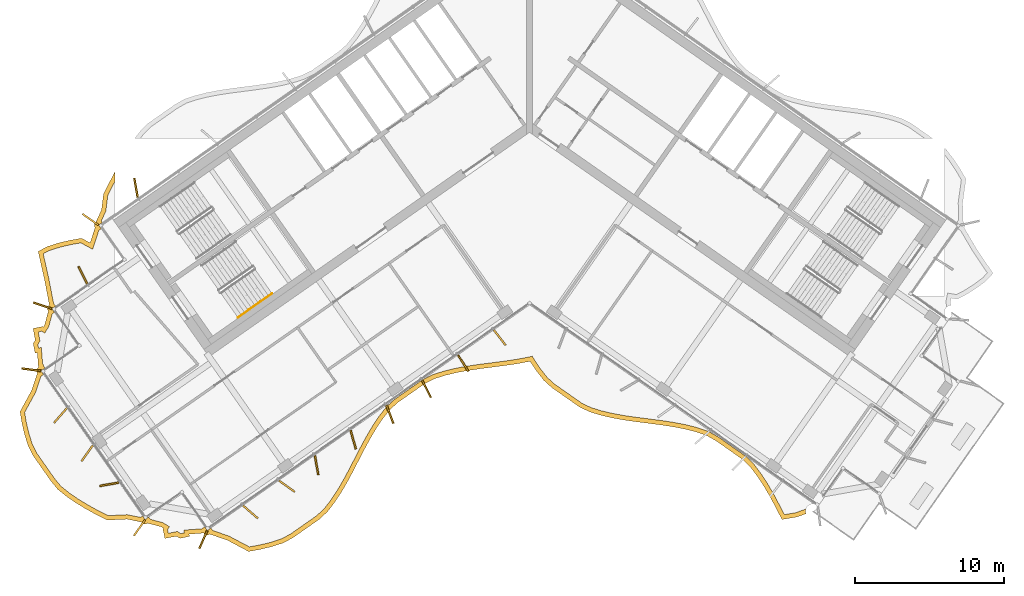
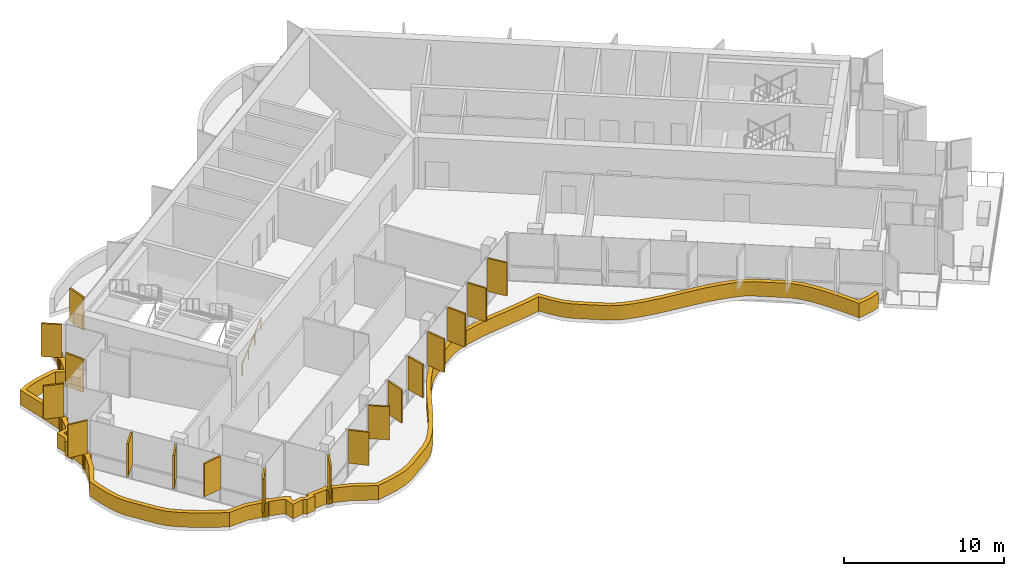
# One storey, part 13 of 18: 19 shading devices, 1 railing.
"""IFC4 building model written with IfcOpenShell, lengths in metres."""

from ifc_helpers import new_model, si_unit, direction, frame, origin, origin_2d, place, context, subcontext, project, spatial, polyline, rectangle, circle, outline, extrude, material, layer, layer_set, type_object, element, save


model = new_model("IFC4")

# Units and contexts
model_context = context("Model", 3, precision=1e-05, world=origin(), true_north=direction((0.0, 1.0)))
body_context = subcontext(model_context, "Body", "Model", "MODEL_VIEW")
ifc_project = project(units=[si_unit("LENGTHUNIT", "METRE"), si_unit("AREAUNIT", "SQUARE_METRE"), si_unit("VOLUMEUNIT", "CUBIC_METRE"), si_unit("PLANEANGLEUNIT", "RADIAN"), si_unit("MASSUNIT", "GRAM", prefix="KILO")], contexts=[model_context])

# Site, building, storey
site_placement = place(None, origin())
site = spatial("IfcSite", under=ifc_project, at=site_placement, CompositionType="ELEMENT")
building_placement = place(site_placement, origin())
building = spatial("IfcBuilding", under=site, at=building_placement, Name="Tel Ilan Convention Tower", CompositionType="ELEMENT")
storey_placement = place(building_placement, frame((0.0, 0.0, 272.199951171875)))
storey = spatial("IfcBuildingStorey", under=building, at=storey_placement, Name="L64", CompositionType="ELEMENT", Elevation=272.199951171875)

# Shading devices
ifc_material_1 = material(Name="Aluminium, bronze anodised", Category="aluminium")
ifc_layer_1 = layer(ifc_material_1, 0.1201171875)
ifc_layer_set_1 = layer_set([ifc_layer_1], Name="FIN BRONZE 1300x120")
shading_device_type_1 = type_object("IfcShadingDeviceType", Name="FIN BRONZE 1300x120", PredefinedType="USERDEFINED", material=ifc_layer_set_1)
for number, where, z_axis, x_axis, name in (
    (1, (-26.453369140625, -4.955078125, 1.10009765625), (0.0, 0.0, 1.0), (-0.173648177667, 0.984807753012, 0.0), "FIN"),
    (2, (-29.515625, -7.081787109375, 1.10009765625), (0.0, 0.0, 1.0), (-0.819152044289, 0.573576436351, 0.0), "FIN"),
    (3, (-30.024658203125, -10.828369140625, 1.10009765625), (0.0, 0.0, 1.0), (-0.448799180206, 0.893632640321, 0.0), "FIN"),
    (4, (-32.72900390625, -12.87353515625, 1.10009765625), (0.0, 0.0, 1.0), (-0.949242643575, 0.314544756146, 0.0), "FIN"),
    (5, (-33.48779296875, -17.175537109375, 1.10009765625), (0.0, 0.0, 1.0), (-0.992066016082, 0.125718016748, 0.0), "FIN"),
    (6, (-31.530029296875, -20.253662109375, 1.10009765625), (0.0, 0.0, 1.0), (-0.657521368568, -0.753435896329, 0.0), "FIN"),
    (7, (-29.735595703125, -22.79443359375, 1.10009765625), (0.0, 0.0, 1.0), (-0.581492071294, -0.813552070258, 0.0), "FIN"),
    (8, (-28.2529296875, -24.8798828125, 1.10009765625), (0.0, 0.0, 1.0), (-0.984807753012, -0.173648177667, 0.0), "FIN"),
    (9, (-26.22021484375, -27.80810546875, 1.10009765625), (0.0, 0.0, 1.0), (-0.573576436351, -0.819152044289, 0.0), "FIN"),
    (10, (-21.930419921875, -28.595947265625, 1.10009765625), (0.0, 0.0, 1.0), (-0.404964282034, -0.914332505315, 0.0), "FIN"),
    (11, (-18.759765625, -26.7412109375, 1.10009765625), (0.0, 0.0, 1.0), (0.753435896329, -0.657521368568, 0.0), "FIN"),
    (12, (-16.310302734375, -25.0107421875, 1.10009765625), (0.0, 0.0, 1.0), (0.813552070258, -0.581492071294, 0.0), "FIN"),
    (13, (-14.316162109375, -23.591796875, 1.10009765625), (0.0, 0.0, 1.0), (0.173648177667, -0.984807753012, 0.0), "FIN"),
    (14, (-11.8505859375, -21.887939453125, 1.10009765625), (0.0, 0.0, 1.0), (0.268172612768, -0.963370878614, 0.0), "FIN"),
    (15, (-9.38671875, -20.177978515625, 1.10009765625), (0.0, 0.0, 1.0), (0.360177724803, -0.932883704733, 0.0), "FIN"),
    (16, (-6.92529296875, -18.46240234375, 1.10009765625), (0.0, 0.0, 1.0), (0.448799180206, -0.893632640321, 0.0), "FIN"),
    (17, (-4.466552734375, -16.740966796875, 1.10009765625), (0.0, 0.0, 1.0), (0.533204432798, -0.845986425922, 0.0), "FIN"),
    (18, (-2.007568359375, -15.019287109375, 1.10009765625), (0.0, 0.0, 1.0), (0.612600545196, -0.790392669516, 0.0), "FIN"),
):
    element("IfcShadingDevice", number, at=place(storey_placement, frame(where, z_axis=z_axis, x_axis=x_axis)), inside=storey, type_object=shading_device_type_1, Name=name, ObjectType="FIN", PredefinedType="USERDEFINED", context=body_context, shape_type="SweptSolid", body=[
        extrude(rectangle(XDim=1.300048828125, YDim=0.1201171875, at=origin_2d()), origin(), (0.0, 0.0, 1.0), 2.52001953125),
    ])
ifc_material_2 = material(Name="Aluminium, bronze anodised", Category="aluminium")
ifc_layer_2 = layer(ifc_material_2, 0.300048828125)
ifc_layer_set_2 = layer_set([ifc_layer_2], Name="LOUVRE BAND 300x1100")
shading_device_type_2 = type_object("IfcShadingDeviceType", Name="LOUVRE BAND 300x1100", PredefinedType="USERDEFINED", material=ifc_layer_set_2)
shading_device_placement = place(storey_placement, origin())
element("IfcShadingDevice", 19, at=shading_device_placement, inside=storey, type_object=shading_device_type_2, Name="LOUVRE BAND 49.03", ObjectType="LOUVRE", PredefinedType="USERDEFINED", context=body_context, shape_type="SweptSolid", body=[
    extrude(outline(polyline([(-33.47021484375, -18.574462890625), (-34.248779296875, -19.995849609375), (-34.1181640625, -20.780517578125), (-33.940185546875, -21.531982421875), (-33.7158203125, -22.2509765625), (-33.401611328125, -22.906982421875), (-32.166748046875, -24.670654296875), (-31.707763671875, -25.22509765625), (-31.125732421875, -25.69384765625), (-30.49462890625, -26.1279296875), (-29.82373046875, -26.5341796875), (-29.12353515625, -26.920166015625), (-28.398193359375, -27.288330078125), (-27.05419921875, -27.223388671875), (-26.083984375, -27.420166015625), (-26.05517578125, -27.46337890625), (-25.957763671875, -27.5283203125), (-25.843017578125, -27.55126953125), (-25.728271484375, -27.5283203125), (-25.674072265625, -27.492431640625), (-24.7724609375, -27.73388671875), (-24.61669921875, -27.828857421875), (-24.64697265625, -27.878662109375), (-24.51416015625, -28.518310546875), (-23.728759765625, -28.3701171875), (-23.49462890625, -28.5126953125), (-22.855224609375, -28.3798828125), (-22.8828125, -28.233154296875), (-21.90576171875, -28.15673828125), (-21.876953125, -28.2001953125), (-21.779541015625, -28.26513671875), (-21.664794921875, -28.2880859375), (-21.550048828125, -28.26513671875), (-21.49609375, -28.22900390625), (-20.311279296875, -28.64013671875), (-18.883544921875, -29.3984375), (-18.087646484375, -29.25439453125), (-17.32080078125, -29.068359375), (-16.588623046875, -28.833251953125), (-15.931640625, -28.490478515625), (-14.12646484375, -27.226318359375), (-13.582763671875, -26.721923828125), (-13.1123046875, -26.113037109375), (-12.67626953125, -25.454833984375), (-12.267333984375, -24.7578125), (-11.877197265625, -24.0341796875), (-11.11572265625, -22.56005859375), (-10.724853515625, -21.83740234375), (-10.314697265625, -21.142333984375), (-9.877197265625, -20.486572265625), (-9.404541015625, -19.88037109375), (-8.85498046875, -19.384765625), (-7.049560546875, -18.12060546875), (-6.386474609375, -17.78662109375), (-5.65234375, -17.55419921875), (-4.884033203125, -17.370849609375), (-4.088623046875, -17.225830078125), (-3.274658203125, -17.107421875), (-1.629150390625, -16.895751953125), (-0.816650390625, -16.775146484375), (0.03369140625, -16.6123046875), (0.481201171875, -17.28466796875), (0.956298828125, -17.894287109375), (1.509765625, -18.392333984375), (3.325927734375, -19.663818359375), (3.99609375, -19.9951171875), (4.73583984375, -20.22705078125), (5.510009765625, -20.40966796875), (6.311279296875, -20.553955078125), (7.130615234375, -20.672119140625), (8.785888671875, -20.885009765625), (9.601806640625, -21.008056640625), (10.3974609375, -21.16015625), (11.16455078125, -21.353271484375), (11.8955078125, -21.59765625), (12.540283203125, -21.965087890625), (14.356201171875, -23.23681640625), (14.88330078125, -23.7724609375), (15.349853515625, -24.39453125), (15.782958984375, -25.064453125), (16.18994140625, -25.771728515625), (16.57958984375, -26.50341796875), (16.96240234375, -27.2451171875), (17.983642578125, -27.074951171875), (18.572509765625, -26.8583984375), (18.55517578125, -26.79150390625), (18.5478515625, -26.69384765625), (18.5595703125, -26.596435546875), (18.57568359375, -26.53759765625), (17.90673828125, -26.78369140625), (17.12890625, -26.913330078125), (16.452392578125, -25.626220703125), (16.0390625, -24.908203125), (15.59619140625, -24.222900390625), (15.111328125, -23.576416015625), (14.55078125, -23.0068359375), (12.700927734375, -21.71142578125), (12.0185546875, -21.322509765625), (11.248779296875, -21.06494140625), (10.46240234375, -20.866943359375), (9.65234375, -20.712158203125), (8.827392578125, -20.587890625), (7.171142578125, -20.374755859375), (6.359375, -20.2578125), (5.571044921875, -20.11572265625), (4.815185546875, -19.9375), (4.108154296875, -19.7158203125), (3.479248046875, -19.405029296875), (1.697021484375, -18.156982421875), (1.1767578125, -17.68896484375), (0.724609375, -17.10888671875), (0.29541015625, -16.465576171875), (0.1787109375, -16.2666015625), (-0.087890625, -16.33349609375), (-0.866455078125, -16.479248046875), (-1.67041015625, -16.5986328125), (-3.315185546875, -16.81005859375), (-4.136962890625, -16.9296875), (-4.945556640625, -17.0771484375), (-5.732666015625, -17.264892578125), (-6.5, -17.5078125), (-7.203857421875, -17.8623046875), (-9.042236328125, -19.1494140625), (-9.625, -19.67529296875), (-10.12060546875, -20.310791015625), (-10.56884765625, -20.982666015625), (-10.986083984375, -21.68994140625), (-11.380859375, -22.419677734375), (-12.142578125, -23.89404296875), (-12.529052734375, -24.61083984375), (-12.930908203125, -25.2958984375), (-13.356201171875, -25.938232421875), (-13.804931640625, -26.518798828125), (-14.315185546875, -26.992431640625), (-16.087890625, -28.233642578125), (-16.704833984375, -28.555419921875), (-17.402099609375, -28.779541015625), (-18.149658203125, -28.960693359375), (-18.83447265625, -29.084716796875), (-20.19140625, -28.3642578125), (-21.302978515625, -27.981689453125), (-21.418701171875, -27.816650390625), (-21.664794921875, -27.988037109375), (-21.8369140625, -27.7421875), (-22.01513671875, -27.8671875), (-23.239990234375, -27.959228515625), (-23.20458984375, -28.14599609375), (-23.439697265625, -28.19482421875), (-23.671142578125, -28.053955078125), (-24.2802734375, -28.1689453125), (-24.3291015625, -27.933837890625), (-24.204345703125, -27.72900390625), (-24.65380859375, -27.455078125), (-25.48828125, -27.23486328125), (-25.5966796875, -27.079833984375), (-25.843017578125, -27.251220703125), (-26.01513671875, -27.005615234375), (-26.15478515625, -27.103271484375), (-27.03076171875, -26.921875), (-28.333251953125, -26.98486328125), (-28.983154296875, -26.65478515625), (-29.673583984375, -26.2744140625), (-30.331787109375, -25.8759765625), (-30.946533203125, -25.453125), (-31.495849609375, -25.010498046875), (-31.927978515625, -24.488525390625), (-33.141845703125, -22.755126953125), (-33.43603515625, -22.140869140625), (-33.650634765625, -21.45263671875), (-33.823974609375, -20.72119140625), (-33.935791015625, -20.048828125), (-33.1943359375, -18.6953125), (-32.833251953125, -17.61865234375), (-32.66845703125, -17.50341796875), (-32.840576171875, -17.257568359375), (-32.56201171875, -17.0625), (-32.6806640625, -16.893310546875), (-32.688720703125, -16.78515625), (-32.726806640625, -16.811767578125), (-32.811767578125, -15.6826171875), (-32.998779296875, -15.7177734375), (-33.047607421875, -15.482666015625), (-32.906494140625, -15.251220703125), (-33.021484375, -14.64208984375), (-32.786376953125, -14.59326171875), (-32.58154296875, -14.718017578125), (-32.3076171875, -14.268798828125), (-32.087646484375, -13.434326171875), (-31.932373046875, -13.32568359375), (-32.103759765625, -13.079345703125), (-31.858154296875, -12.9072265625), (-31.993408203125, -12.714111328125), (-32.314697265625, -11.033447265625), (-32.68798828125, -9.385986328125), (-32.26708984375, -9.168701171875), (-31.5771484375, -8.950439453125), (-30.838623046875, -8.77392578125), (-30.161376953125, -8.65625), (-29.363525390625, -9.087646484375), (-28.950439453125, -7.8193359375), (-28.787353515625, -7.705322265625), (-28.958740234375, -7.458984375), (-28.713134765625, -7.286865234375), (-28.785888671875, -7.182861328125), (-28.480224609375, -6.525634765625), (-28.343994140625, -5.44384765625), (-27.874755859375, -4.536376953125), (-27.874755859375, -3.881103515625), (-28.635009765625, -5.353271484375), (-28.772216796875, -6.441650390625), (-29.127685546875, -7.218017578125), (-29.1708984375, -7.246826171875), (-29.236083984375, -7.34423828125), (-29.2587890625, -7.458984375), (-29.236083984375, -7.57373046875), (-29.199951171875, -7.6279296875), (-29.537353515625, -8.652587890625), (-30.110107421875, -8.3427734375), (-30.899169921875, -8.47998046875), (-31.6572265625, -8.661376953125), (-32.3818359375, -8.890380859375), (-33.031982421875, -9.225830078125), (-32.6083984375, -11.094970703125), (-32.272705078125, -12.83837890625), (-32.31591796875, -12.8671875), (-32.381103515625, -12.964599609375), (-32.40380859375, -13.079345703125), (-32.381103515625, -13.1943359375), (-32.344970703125, -13.248291015625), (-32.586669921875, -14.14990234375), (-32.681640625, -14.3056640625), (-32.7314453125, -14.275390625), (-33.370849609375, -14.408203125), (-33.22265625, -15.193603515625), (-33.365478515625, -15.427734375), (-33.232666015625, -16.067138671875), (-33.0859375, -16.03955078125), (-33.009521484375, -17.0166015625), (-33.052734375, -17.04541015625), (-33.11767578125, -17.142822265625), (-33.140625, -17.257568359375), (-33.11767578125, -17.372314453125), (-33.081787109375, -17.426513671875), (-33.47021484375, -18.574462890625)])), origin(), (0.0, 0.0, 1.0), 1.10009765625),
])

# Railing
ifc_material_3 = material(Name="Stainless Steel Grade 316", Category="steel")
railing_type = type_object("IfcRailingType", Name="Stainless Steel Stair Handrail 900 mm", PredefinedType="HANDRAIL", material=ifc_material_3)
railing_placement = place(storey_placement, frame((-19.6064453125, -13.66748046875, 0.17724609375)))
element("IfcRailing", 20, at=railing_placement, inside=storey, type_object=railing_type, Name="L64 S2 stair handrail 1", PredefinedType="HANDRAIL", context=body_context, shape_type="SweptSolid", body=[
    extrude(circle(Radius=0.02392578125, at=origin_2d()), frame((0.0, 0.0, 0.8759765625), z_axis=(0.692123088272, 0.484596665743, 0.534912798717), x_axis=(-0.573550118428, 0.819170471667, 0.0)), (0.0, 0.0, 1.0), 3.31396484375),
    extrude(circle(Radius=0.02099609375, at=origin_2d()), origin(), (0.0, 0.0, 1.0), 0.851806640625),
    extrude(circle(Radius=0.02099609375, at=origin_2d()), frame((0.7646484375, 0.535400390625, 0.5908203125)), (0.0, 0.0, 1.0), 0.851806640625),
    extrude(circle(Radius=0.02099609375, at=origin_2d()), frame((1.529052734375, 1.070556640625, 1.181884765625)), (0.0, 0.0, 1.0), 0.851806640625),
    extrude(circle(Radius=0.02099609375, at=origin_2d()), frame((2.293701171875, 1.60595703125, 1.772705078125)), (0.0, 0.0, 1.0), 0.851806640625),
])

save(model, "model.ifc")
